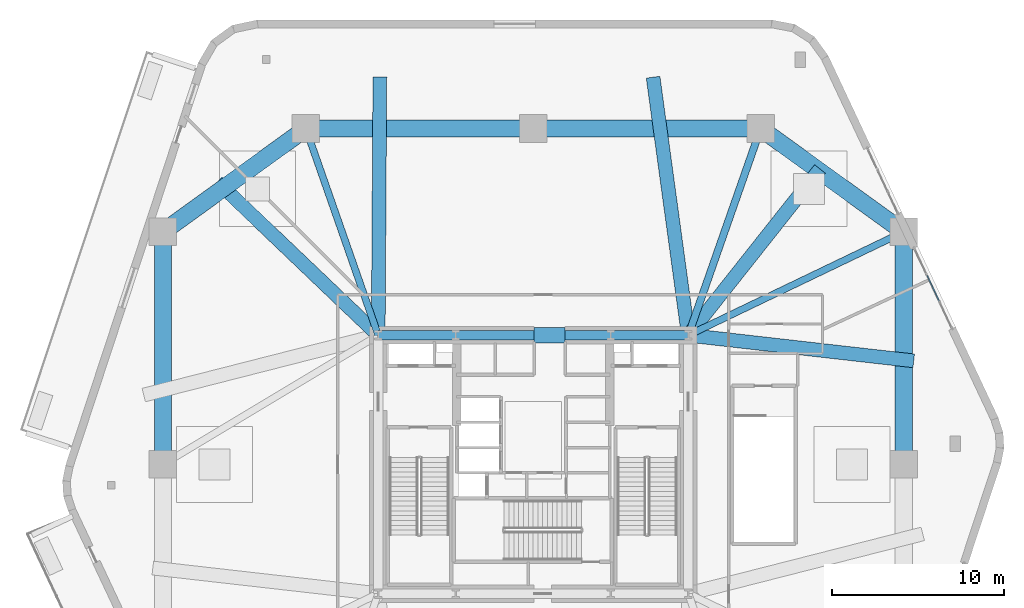
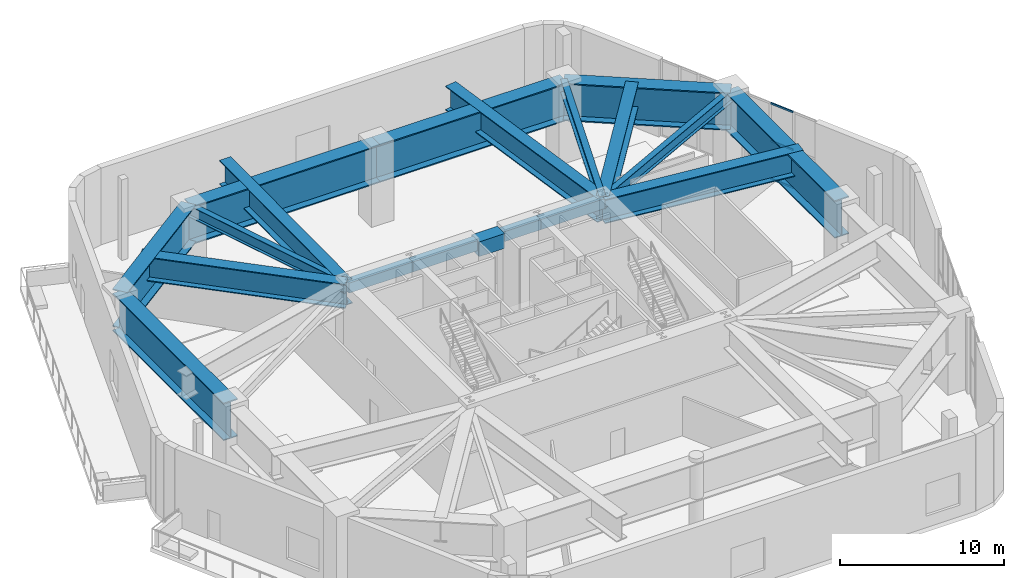
# One storey, part 5 of 14: 18 beams, 3 members, 1 element without a shape of its own.
"""IFC4 building model written with IfcOpenShell, lengths in metres."""

from ifc_helpers import new_model, si_unit, direction, frame, origin, origin_2d, place, context, subcontext, project, spatial, rectangle, hollow_rectangle, i_section, extrude, material, layer, layer_set, material_profile, profile_set, type_object, element, aggregate, save


model = new_model("IFC4")

# Units and contexts
model_context = context("Model", 3, precision=1e-05, world=origin(), true_north=direction((0.0, 1.0)))
body_context = subcontext(model_context, "Body", "Model", "MODEL_VIEW")
ifc_project = project(units=[si_unit("LENGTHUNIT", "METRE"), si_unit("AREAUNIT", "SQUARE_METRE"), si_unit("VOLUMEUNIT", "CUBIC_METRE"), si_unit("PLANEANGLEUNIT", "RADIAN"), si_unit("MASSUNIT", "GRAM", prefix="KILO")], contexts=[model_context])

# Site, building, storey
site_placement = place(None, origin())
site = spatial("IfcSite", under=ifc_project, at=site_placement, CompositionType="ELEMENT")
building_placement = place(site_placement, origin())
building = spatial("IfcBuilding", under=site, at=building_placement, Name="Kilnhurst Terrace Hotel", CompositionType="ELEMENT")
storey_placement = place(building_placement, frame((0.0, 0.0, 28.199951171875)))
storey = spatial("IfcBuildingStorey", under=building, at=storey_placement, Name="L05", CompositionType="ELEMENT", Elevation=28.199951171875)

# Beams
ifc_material_1 = material(Name="Concrete C50/60", Category="concrete")
ifc_material_profile_1 = material_profile(ifc_material_1, rectangle(XDim=0.550048828125, YDim=0.75, at=origin_2d()), Name="RC550X750")
ifc_profile_set_1 = profile_set([ifc_material_profile_1], Name="Concrete C50/60")
beam_type_1 = type_object("IfcBeamType", Name="BM-SPN-550X750", PredefinedType="SPANDREL", material=ifc_profile_set_1)
beam_1_placement = place(storey_placement, frame((-9.0, 7.5, 5.324951171875), z_axis=(1.0, 0.0, 0.0), x_axis=(0.0, 1.0, 0.0)))
element("IfcBeam", 1, at=beam_1_placement, inside=storey, type_object=beam_type_1, Name="L05 Core Tie Beam CC-NW to CC-NC1", PredefinedType="SPANDREL", context=body_context, shape_type="SweptSolid", body=[
    extrude(rectangle(XDim=0.550048828125, YDim=0.75, at=origin_2d()), origin(), (0.0, 0.0, 1.0), 4.5),
])
beam_2_placement = place(storey_placement, frame((-4.5, 7.5, 5.324951171875), z_axis=(1.0, 0.0, 0.0), x_axis=(0.0, 1.0, 0.0)))
element("IfcBeam", 2, at=beam_2_placement, inside=storey, type_object=beam_type_1, Name="L05 Core Tie Beam CC-NC1 to CC-NC2", PredefinedType="SPANDREL", context=body_context, shape_type="SweptSolid", body=[
    extrude(rectangle(XDim=0.550048828125, YDim=0.75, at=origin_2d()), origin(), (0.0, 0.0, 1.0), 9.0),
])
beam_3_placement = place(storey_placement, frame((4.5, 7.5, 5.324951171875), z_axis=(1.0, 0.0, 0.0), x_axis=(0.0, 1.0, 0.0)))
element("IfcBeam", 3, at=beam_3_placement, inside=storey, type_object=beam_type_1, Name="L05 Core Tie Beam CC-NC2 to CC-NE", PredefinedType="SPANDREL", context=body_context, shape_type="SweptSolid", body=[
    extrude(rectangle(XDim=0.550048828125, YDim=0.75, at=origin_2d()), origin(), (0.0, 0.0, 1.0), 4.5),
])
ifc_material_2 = material(Name="Steel ASTM A992 Grade 50", Category="steel")
ifc_material_profile_2 = material_profile(ifc_material_2, i_section(OverallWidth=0.39990234375, OverallDepth=0.85546875, WebThickness=0.018310546875, FlangeThickness=0.029296875, at=origin_2d()), Name="W33X201")
ifc_profile_set_2 = profile_set([ifc_material_profile_2], Name="Steel ASTM A992 Grade 50")
beam_type_2 = type_object("IfcBeamType", Name="BM-STL-W33X201", PredefinedType="BEAM", material=ifc_profile_set_2)
beam_4_placement = place(storey_placement, frame((21.5, 13.5, 5.27197265625), z_axis=(-0.901523057468, -0.432731067585, 0.0), x_axis=(0.432731067585, -0.901523057468, 0.0)))
element("IfcBeam", 4, at=beam_4_placement, inside=storey, type_object=beam_type_2, Name="L05 Podium Frame Beam 11", PredefinedType="BEAM", context=body_context, shape_type="SweptSolid", body=[
    extrude(i_section(OverallWidth=0.39990234375, OverallDepth=0.85546875, WebThickness=0.018310546875, FlangeThickness=0.029296875, at=origin_2d()), origin(), (0.0, 0.0, 1.0), 13.865478515625),
])
beam_5_placement = place(storey_placement, frame((-13.199951171875, 19.5, 5.27197265625), z_axis=(0.330347003279, -0.943859553866, 0.0), x_axis=(0.943859553866, 0.330347003279, 0.0)))
element("IfcBeam", 5, at=beam_5_placement, inside=storey, type_object=beam_type_2, Name="L05 Podium Frame Beam 13", PredefinedType="BEAM", context=body_context, shape_type="SweptSolid", body=[
    extrude(i_section(OverallWidth=0.39990234375, OverallDepth=0.85546875, WebThickness=0.018310546875, FlangeThickness=0.029296875, at=origin_2d()), origin(), (0.0, 0.0, 1.0), 12.7138671875),
])
ifc_material_profile_3 = material_profile(ifc_material_2, i_section(OverallWidth=0.423095703125, OverallDepth=0.9482421875, WebThickness=0.02392578125, FlangeThickness=0.042724609375, at=origin_2d()), Name="W36X302")
ifc_profile_set_3 = profile_set([ifc_material_profile_3], Name="Steel ASTM A992 Grade 50")
beam_type_3 = type_object("IfcBeamType", Name="BM-STL-W36X302", PredefinedType="BEAM", material=ifc_profile_set_3)
beam_6_placement = place(storey_placement, frame((13.199951171875, 19.5, 5.22607421875), z_axis=(-0.330347003279, -0.943859553866, 0.0), x_axis=(0.943859553866, -0.330347003279, 0.0)))
element("IfcBeam", 6, at=beam_6_placement, inside=storey, type_object=beam_type_3, Name="L05 Podium Frame Beam 14", PredefinedType="BEAM", context=body_context, shape_type="SweptSolid", body=[
    extrude(i_section(OverallWidth=0.423095703125, OverallDepth=0.9482421875, WebThickness=0.02392578125, FlangeThickness=0.042724609375, at=origin_2d()), origin(), (0.0, 0.0, 1.0), 12.7138671875),
])
ifc_material_3 = material(Name="Concrete C80/95", Category="concrete")
ifc_material_profile_4 = material_profile(ifc_material_3, rectangle(XDim=0.89990234375, YDim=1.10009765625, at=origin_2d()), Name="RC900X1100")
ifc_profile_set_4 = profile_set([ifc_material_profile_4], Name="Concrete C80/95")
beam_type_4 = type_object("IfcBeamType", Name="LNT-CB-900X1100", PredefinedType="LINTEL", material=ifc_profile_set_4)
beam_7_placement = place(storey_placement, frame((0.050048828125, 7.5, 5.150146484375), z_axis=(1.0, 0.0, 0.0), x_axis=(0.0, 1.0, 0.0)))
element("IfcBeam", 7, at=beam_7_placement, inside=storey, type_object=beam_type_4, Name="L05 North Core Coupling Link Beam", PredefinedType="LINTEL", context=body_context, shape_type="SweptSolid", body=[
    extrude(rectangle(XDim=0.89990234375, YDim=1.10009765625, at=origin_2d()), origin(), (0.0, 0.0, 1.0), 1.800048828125),
])

# Curtain wall, members
ifc_material_4 = material(Name="Anodized Aluminium Alloy 6063-T6 and Low-E Glass", Category="aluminium")
ifc_layer = layer(ifc_material_4, 0.219970703125, Name="Anodized Aluminium Alloy 6063-T6 and Low-E Glass")
ifc_layer_set = layer_set([ifc_layer], Name="Anodized Aluminium Alloy 6063-T6 and Low-E Glass")
curtain_wall_type = type_object("IfcCurtainWallType", Name="CW-POD-TERR", PredefinedType="NOTDEFINED", material=ifc_layer_set)
curtain_wall_placement = place(storey_placement, origin())
curtain_wall = element("IfcCurtainWall", 8, at=curtain_wall_placement, inside=storey, type_object=curtain_wall_type, Name="L05 Curtain Wall CW-L05-F3-1", PredefinedType="NOTDEFINED")
ifc_material_5 = material(Name="Extruded Aluminium Alloy 6063-T6", Category="aluminium")
ifc_material_profile_5 = material_profile(ifc_material_5, hollow_rectangle(XDim=0.070068359375, YDim=0.135009765625, WallThickness=0.00390625, at=origin_2d()), Name="CWT70X135")
ifc_profile_set_5 = profile_set([ifc_material_profile_5], Name="Extruded Aluminium Alloy 6063-T6")
member_type = type_object("IfcMemberType", Name="MEM-CWT70X135", PredefinedType="USERDEFINED", material=ifc_profile_set_5)
member_1_placement = place(storey_placement, frame((23.56689453125, 9.474853515625, 0.03515625), z_axis=(-0.425293616023, 0.90505543486, 0.0), x_axis=(-0.90505543486, -0.425293616023, 0.0)))
member_1 = element("IfcMember", 9, at=member_1_placement, type_object=member_type, Name="CWT-2 transom 2.1", ObjectType="TRANSOM", PredefinedType="USERDEFINED", context=body_context, shape_type="SweptSolid", body=[
    extrude(hollow_rectangle(XDim=0.070068359375, YDim=0.135009765625, WallThickness=0.00390625, at=origin_2d()), origin(), (0.0, 0.0, 1.0), 1.658447265625),
])
member_2_placement = place(storey_placement, frame((23.56689453125, 9.474853515625, 2.85009765625), z_axis=(-0.425293616023, 0.90505543486, 0.0), x_axis=(-0.90505543486, -0.425293616023, 0.0)))
member_2 = element("IfcMember", 10, at=member_2_placement, type_object=member_type, Name="CWT-2 transom 2.2", ObjectType="TRANSOM", PredefinedType="USERDEFINED", context=body_context, shape_type="SweptSolid", body=[
    extrude(hollow_rectangle(XDim=0.070068359375, YDim=0.135009765625, WallThickness=0.00390625, at=origin_2d()), origin(), (0.0, 0.0, 1.0), 1.658447265625),
])
member_3_placement = place(storey_placement, frame((23.56689453125, 9.474853515625, 5.6650390625), z_axis=(-0.425293616023, 0.90505543486, 0.0), x_axis=(-0.90505543486, -0.425293616023, 0.0)))
member_3 = element("IfcMember", 11, at=member_3_placement, type_object=member_type, Name="CWT-2 transom 2.3", ObjectType="TRANSOM", PredefinedType="USERDEFINED", context=body_context, shape_type="SweptSolid", body=[
    extrude(hollow_rectangle(XDim=0.070068359375, YDim=0.135009765625, WallThickness=0.00390625, at=origin_2d()), origin(), (0.0, 0.0, 1.0), 1.658447265625),
])
aggregate(curtain_wall, [member_1, member_2, member_3])

# Beams
ifc_material_6 = material(Name="Steel ASTM A572 Grade 50", Category="steel")
ifc_material_profile_6 = material_profile(ifc_material_6, i_section(OverallWidth=0.800048828125, OverallDepth=1.800048828125, WebThickness=0.0400390625, FlangeThickness=0.06494140625, at=origin_2d()), Name="PG1800X800")
ifc_profile_set_6 = profile_set([ifc_material_profile_6], Name="Steel ASTM A572 Grade 50")
beam_type_5 = type_object("IfcBeamType", Name="TG-STEP-1800", PredefinedType="USERDEFINED", material=ifc_profile_set_6)
beam_8_placement = place(storey_placement, frame((9.0, 7.5, 4.800048828125), z_axis=(0.993611493249, -0.112854776075, 0.0), x_axis=(0.112854776075, 0.993611493249, 0.0)))
element("IfcBeam", 12, at=beam_8_placement, inside=storey, type_object=beam_type_5, Name="L05 Radial Through-Column Transfer Girder 5", ObjectType="GIRDER", PredefinedType="USERDEFINED", context=body_context, shape_type="SweptSolid", body=[
    extrude(i_section(OverallWidth=0.800048828125, OverallDepth=1.800048828125, WebThickness=0.0400390625, FlangeThickness=0.06494140625, at=origin_2d()), origin(), (0.0, 0.0, 1.0), 13.168212890625),
])
beam_9_placement = place(storey_placement, frame((9.0, 7.5, 4.800048828125), z_axis=(0.62079385707, 0.783973843329, 0.0), x_axis=(-0.783973843329, 0.62079385707, 0.0)))
element("IfcBeam", 13, at=beam_9_placement, inside=storey, type_object=beam_type_5, Name="L05 Radial Through-Column Transfer Girder 6", ObjectType="GIRDER", PredefinedType="USERDEFINED", context=body_context, shape_type="SweptSolid", body=[
    extrude(i_section(OverallWidth=0.800048828125, OverallDepth=1.800048828125, WebThickness=0.0400390625, FlangeThickness=0.06494140625, at=origin_2d()), origin(), (0.0, 0.0, 1.0), 12.311767578125),
])
beam_10_placement = place(storey_placement, frame((9.0, 7.5, 4.800048828125), z_axis=(-0.13525588246, 0.990810701527, 0.0), x_axis=(-0.990810701527, -0.13525588246, 0.0)))
element("IfcBeam", 14, at=beam_10_placement, inside=storey, type_object=beam_type_5, Name="L05 Radial Through-Column Transfer Girder 7", ObjectType="GIRDER", PredefinedType="USERDEFINED", context=body_context, shape_type="SweptSolid", body=[
    extrude(i_section(OverallWidth=0.800048828125, OverallDepth=1.800048828125, WebThickness=0.0400390625, FlangeThickness=0.06494140625, at=origin_2d()), origin(), (0.0, 0.0, 1.0), 15.118896484375),
])
beam_11_placement = place(storey_placement, frame((-9.0, 7.5, 4.800048828125), z_axis=(0.006339714179, 0.99997990381, 0.0), x_axis=(-0.99997990381, 0.006339714179, 0.0)))
element("IfcBeam", 15, at=beam_11_placement, inside=storey, type_object=beam_type_5, Name="L05 Radial Through-Column Transfer Girder 8", ObjectType="GIRDER", PredefinedType="USERDEFINED", context=body_context, shape_type="SweptSolid", body=[
    extrude(i_section(OverallWidth=0.800048828125, OverallDepth=1.800048828125, WebThickness=0.0400390625, FlangeThickness=0.06494140625, at=origin_2d()), origin(), (0.0, 0.0, 1.0), 14.980224609375),
])
beam_12_placement = place(storey_placement, frame((-9.0, 7.5, 4.800048828125), z_axis=(-0.723454302813, 0.690372270403, 0.0), x_axis=(-0.690372270403, -0.723454302813, 0.0)))
element("IfcBeam", 16, at=beam_12_placement, inside=storey, type_object=beam_type_5, Name="L05 Radial Through-Column Transfer Girder 9", ObjectType="GIRDER", PredefinedType="USERDEFINED", context=body_context, shape_type="SweptSolid", body=[
    extrude(i_section(OverallWidth=0.800048828125, OverallDepth=1.800048828125, WebThickness=0.0400390625, FlangeThickness=0.06494140625, at=origin_2d()), origin(), (0.0, 0.0, 1.0), 12.907470703125),
])
ifc_material_profile_7 = material_profile(ifc_material_6, i_section(OverallWidth=1.0, OverallDepth=2.800048828125, WebThickness=0.050048828125, FlangeThickness=0.080078125, at=origin_2d()), Name="PG2800X1000")
ifc_profile_set_7 = profile_set([ifc_material_profile_7], Name="Steel ASTM A572 Grade 50")
beam_type_6 = type_object("IfcBeamType", Name="TG-TWR-2800", PredefinedType="USERDEFINED", material=ifc_profile_set_7)
beam_13_placement = place(storey_placement, frame((21.5, 0.0, 4.300048828125), z_axis=(0.0, 1.0, 0.0), x_axis=(-1.0, 0.0, 0.0)))
element("IfcBeam", 17, at=beam_13_placement, inside=storey, type_object=beam_type_6, Name="L05 Podium Mega-Column Transfer Ring Girder 4", ObjectType="GIRDER", PredefinedType="USERDEFINED", context=body_context, shape_type="SweptSolid", body=[
    extrude(i_section(OverallWidth=1.0, OverallDepth=2.800048828125, WebThickness=0.050048828125, FlangeThickness=0.080078125, at=origin_2d()), origin(), (0.0, 0.0, 1.0), 13.5),
])
beam_14_placement = place(storey_placement, frame((21.5, 13.5, 4.300048828125), z_axis=(-0.810423314702, 0.585844732833, 0.0), x_axis=(-0.585844732833, -0.810423314702, 0.0)))
element("IfcBeam", 18, at=beam_14_placement, inside=storey, type_object=beam_type_6, Name="L05 Podium Mega-Column Transfer Ring Girder 5", ObjectType="GIRDER", PredefinedType="USERDEFINED", context=body_context, shape_type="SweptSolid", body=[
    extrude(i_section(OverallWidth=1.0, OverallDepth=2.800048828125, WebThickness=0.050048828125, FlangeThickness=0.080078125, at=origin_2d()), origin(), (0.0, 0.0, 1.0), 10.24169921875),
])
for number, where, z_axis, x_axis, name in (
    (19, (13.199951171875, 19.5, 4.300048828125), (-1.0, 0.0, 0.0), (0.0, -1.0, 0.0), "L05 Podium Mega-Column Transfer Ring Girder 6"),
    (20, (0.0, 19.5, 4.300048828125), (-1.0, 0.0, 0.0), (0.0, -1.0, 0.0), "L05 Podium Mega-Column Transfer Ring Girder 7"),
):
    element("IfcBeam", number, at=place(storey_placement, frame(where, z_axis=z_axis, x_axis=x_axis)), inside=storey, type_object=beam_type_6, Name=name, ObjectType="GIRDER", PredefinedType="USERDEFINED", context=body_context, shape_type="SweptSolid", body=[
        extrude(i_section(OverallWidth=1.0, OverallDepth=2.800048828125, WebThickness=0.050048828125, FlangeThickness=0.080078125, at=origin_2d()), origin(), (0.0, 0.0, 1.0), 13.199951171875),
    ])
beam_15_placement = place(storey_placement, frame((-13.199951171875, 19.5, 4.300048828125), z_axis=(-0.810423314702, -0.585844732833, 0.0), x_axis=(0.585844732833, -0.810423314702, 0.0)))
element("IfcBeam", 21, at=beam_15_placement, inside=storey, type_object=beam_type_6, Name="L05 Podium Mega-Column Transfer Ring Girder 8", ObjectType="GIRDER", PredefinedType="USERDEFINED", context=body_context, shape_type="SweptSolid", body=[
    extrude(i_section(OverallWidth=1.0, OverallDepth=2.800048828125, WebThickness=0.050048828125, FlangeThickness=0.080078125, at=origin_2d()), origin(), (0.0, 0.0, 1.0), 10.24169921875),
])
beam_16_placement = place(storey_placement, frame((-21.5, 13.5, 4.300048828125), z_axis=(0.0, -1.0, 0.0), x_axis=(1.0, 0.0, 0.0)))
element("IfcBeam", 22, at=beam_16_placement, inside=storey, type_object=beam_type_6, Name="L05 Podium Mega-Column Transfer Ring Girder 9", ObjectType="GIRDER", PredefinedType="USERDEFINED", context=body_context, shape_type="SweptSolid", body=[
    extrude(i_section(OverallWidth=1.0, OverallDepth=2.800048828125, WebThickness=0.050048828125, FlangeThickness=0.080078125, at=origin_2d()), origin(), (0.0, 0.0, 1.0), 13.5),
])

save(model, "model.ifc")
